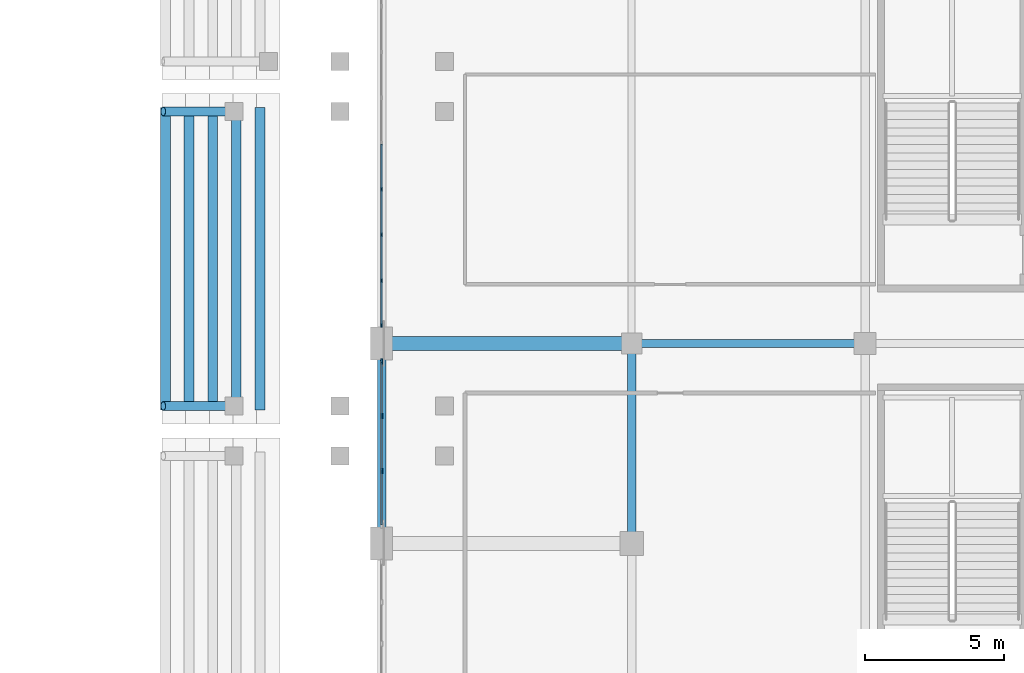
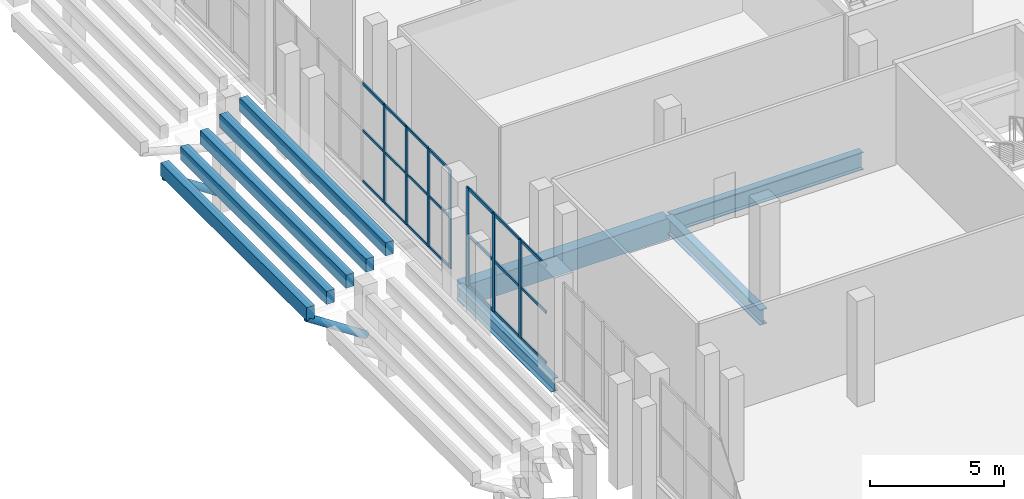
# One storey, part 45 of 142: 30 members, 9 beams, 2 elements without a shape of their own.
"""IFC4 building model written with IfcOpenShell, lengths in metres."""

import ifcopenshell
import ifcopenshell.guid

model = None  # the IFC model being written
_history = None  # IfcOwnerHistory: only IFC2X3 demands one
_inside = {}  # id of a spatial element -> (the spatial element, [elements in it])
_under = {}  # id of a project, library or spatial element -> (it, [spatial elements below it])
_declared = {}  # id of a project -> (the project, [libraries it declares])
_typed = {}  # id of a type object -> (the type object, [elements of that type])
_made_of = {}  # id of a material, layer set ... -> (it, [elements and type objects made of it])


def new_model(schema):
    """Start an empty IFC model of exactly this schema.

    Asked for "IFC4X3", IfcOpenShell would pick the latest addendum, in which some entities
    have other attributes; the version numbers below select the first issue.
    IFC2X3 requires an IfcOwnerHistory on every rooted entity: one is made here for all.
    """
    global model, _history
    if schema == "IFC4X3":
        model = ifcopenshell.file(schema_version=(4, 3, 0, 0))
    else:
        model = ifcopenshell.file(schema=schema)
    _inside.clear()
    _under.clear()
    _declared.clear()
    _typed.clear()
    _made_of.clear()
    _history = None
    if model.schema == "IFC2X3":
        org = make("IfcOrganization", Name="unknown")
        user = make(
            "IfcPersonAndOrganization",
            ThePerson=make("IfcPerson", FamilyName="unknown"),
            TheOrganization=org,
        )
        app = make(
            "IfcApplication",
            ApplicationDeveloper=org,
            Version="unknown",
            ApplicationFullName="unknown",
            ApplicationIdentifier="unknown",
        )
        _history = make(
            "IfcOwnerHistory",
            OwningUser=user,
            OwningApplication=app,
            ChangeAction="ADDED",
            CreationDate=0,
        )
    return model


def make(cls, **values):
    """One entity of the class cls with the attributes given. An attribute that is None is left unset."""
    return model.create_entity(
        cls, **{name: value for name, value in values.items() if value is not None}
    )


def rooted(cls, **values):
    """An entity with a GlobalId (a new one), such as an element, a storey or a relation."""
    return make(cls, GlobalId=ifcopenshell.guid.new(), OwnerHistory=_history, **values)


def si_unit(unit_type, name, prefix=None):
    """IfcSIUnit, for example si_unit("LENGTHUNIT", "METRE", prefix="MILLI")."""
    return make("IfcSIUnit", UnitType=unit_type, Prefix=prefix, Name=name)


def assignment(units):
    """IfcUnitAssignment: the units of a project."""
    return None if units is None else make("IfcUnitAssignment", Units=units)


def point(xyz):
    """IfcCartesianPoint."""
    return None if xyz is None else make("IfcCartesianPoint", Coordinates=xyz)


def direction(xyz):
    """IfcDirection."""
    return None if xyz is None else make("IfcDirection", DirectionRatios=xyz)


def frame(location, z_axis=None, x_axis=None):
    """IfcAxis2Placement3D, a coordinate frame: its origin and axes. An axis left out is left unset."""
    return make(
        "IfcAxis2Placement3D",
        Location=point(location),
        Axis=direction(z_axis),
        RefDirection=direction(x_axis),
    )


def frame_2d(location, x_axis=None):
    """IfcAxis2Placement2D, a coordinate frame in the plane: its origin and x axis."""
    return make(
        "IfcAxis2Placement2D", Location=point(location), RefDirection=direction(x_axis)
    )


def origin():
    """The frame at (0, 0, 0) with its axes left unset."""
    return frame((0.0, 0.0, 0.0))


def origin_2d():
    """The frame at (0, 0) in the plane with its x axis left unset."""
    return frame_2d((0.0, 0.0))


def place(relative_to, where):
    """IfcLocalPlacement: puts the frame where relative to a parent placement (None: the world)."""
    return make(
        "IfcLocalPlacement", PlacementRelTo=relative_to, RelativePlacement=where
    )


def context(
    kind, dimensions, precision=None, world=None, true_north=None, identifier=None
):
    """IfcGeometricRepresentationContext, for example the 3D "Model" context."""
    return make(
        "IfcGeometricRepresentationContext",
        ContextIdentifier=identifier,
        ContextType=kind,
        CoordinateSpaceDimension=dimensions,
        Precision=precision,
        WorldCoordinateSystem=world,
        TrueNorth=true_north,
    )


def subcontext(parent, identifier, kind, view, scale=None):
    """IfcGeometricRepresentationSubContext, for example "Body" below "Model"."""
    return make(
        "IfcGeometricRepresentationSubContext",
        ContextIdentifier=identifier,
        ContextType=kind,
        ParentContext=parent,
        TargetScale=scale,
        TargetView=view,
    )


def project(units=None, contexts=None):
    """IfcProject with its units and contexts."""
    return rooted(
        "IfcProject",
        Name="project",
        RepresentationContexts=contexts,
        UnitsInContext=assignment(units),
    )


def spatial(cls, under=None, at=None, **own):
    """A site, building, storey or space (cls), placed at a placement, below another one or the project."""
    s = rooted(cls, ObjectPlacement=at, **own)
    if under is not None:
        _under.setdefault(under.id(), (under, []))[1].append(s)
    return s


def profile(cls, at=None, kind="AREA", **sizes):
    """A parametric profile (cls). Its sizes go by their IFC names, for example OverallWidth=200.0."""
    return make(cls, ProfileType=kind, Position=at, **sizes)


def rectangle(**sizes):
    """IfcRectangleProfileDef."""
    return profile("IfcRectangleProfileDef", **sizes)


def hollow_circle(**sizes):
    """IfcCircleHollowProfileDef."""
    return profile("IfcCircleHollowProfileDef", **sizes)


def i_section(**sizes):
    """IfcIShapeProfileDef."""
    return profile("IfcIShapeProfileDef", **sizes)


def extrude(swept, where, along, depth):
    """IfcExtrudedAreaSolid: the profile swept, set in the frame where, extruded along a direction by depth."""
    return make(
        "IfcExtrudedAreaSolid",
        SweptArea=swept,
        Position=where,
        ExtrudedDirection=direction(along),
        Depth=depth,
    )


def shape(context_of_items, identifier, shape_type, items):
    """IfcShapeRepresentation: the items that make up one representation, for example the "Body"."""
    return make(
        "IfcShapeRepresentation",
        ContextOfItems=context_of_items,
        RepresentationIdentifier=identifier,
        RepresentationType=shape_type,
        Items=items,
    )


def material(Name=None, Category=None):
    """IfcMaterial."""
    return make("IfcMaterial", Name=Name, Category=Category)


def material_profile(
    of_material, cross_section, Name=None, Category=None, Priority=None
):
    """IfcMaterialProfile: a cross section and its material."""
    return make(
        "IfcMaterialProfile",
        Name=Name,
        Material=of_material,
        Profile=cross_section,
        Priority=Priority,
        Category=Category,
    )


def profile_set(profiles, Name=None, composite=None):
    """IfcMaterialProfileSet."""
    return make(
        "IfcMaterialProfileSet",
        Name=Name,
        MaterialProfiles=profiles,
        CompositeProfile=composite,
    )


def made_of(thing, what):
    """Note that an element or type object is made of a material, layer set ...; save() writes the relation."""
    if what is not None:
        _made_of.setdefault(what.id(), (what, []))[1].append(thing)
    return thing


def type_object(cls, material=None, **own):
    """A type object (cls), such as IfcWallType, which elements share."""
    return made_of(rooted(cls, **own), material)


def element(
    cls,
    number,
    at=None,
    inside=None,
    cuts=None,
    type_object=None,
    material=None,
    context=None,
    identifier="Body",
    shape_type=None,
    held_by="IfcProductDefinitionShape",
    body=None,
    shapes=None,
    **own,
):
    """One element of the class cls, such as IfcWall. Its Tag is "e" and its number.

    at: its placement. inside: the storey or other place that contains it. cuts: it is an
    opening in that element (IfcRelVoidsElement). A single representation is given by context,
    identifier, shape_type and body (its items); several are given by shapes. held_by: the class
    of the entity that holds the representations. save() writes the other relations.
    """
    e = rooted(cls, Tag="e%d" % number, ObjectPlacement=at, **own)
    if body is not None:
        shapes = [shape(context, identifier, shape_type, body)]
    if shapes is not None:
        e.Representation = make(held_by, Representations=shapes)
    if inside is not None:
        _inside.setdefault(inside.id(), (inside, []))[1].append(e)
    if cuts is not None:
        rooted(
            "IfcRelVoidsElement", RelatingBuildingElement=cuts, RelatedOpeningElement=e
        )
    if type_object is not None:
        _typed.setdefault(type_object.id(), (type_object, []))[1].append(e)
    return made_of(e, material)


def aggregate(whole, parts):
    """IfcRelAggregates: a whole, such as a stair, and the parts it consists of."""
    return rooted("IfcRelAggregates", RelatingObject=whole, RelatedObjects=parts)


def save(model, path):
    """Write the relations noted so far, then the file.

    IfcRelAggregates (storeys below a building ...), IfcRelContainedInSpatialStructure (elements
    in a storey), IfcRelDefinesByType, IfcRelAssociatesMaterial and IfcRelDeclares: one each for
    every whole, place, type object, material and project.
    """
    for whole, parts in _under.values():
        aggregate(whole, parts)
    for where, things in _inside.values():
        rooted(
            "IfcRelContainedInSpatialStructure",
            RelatedElements=things,
            RelatingStructure=where,
        )
    for kind, things in _typed.values():
        rooted("IfcRelDefinesByType", RelatedObjects=things, RelatingType=kind)
    for what, things in _made_of.values():
        rooted("IfcRelAssociatesMaterial", RelatedObjects=things, RelatingMaterial=what)
    for by, libraries in _declared.values():
        rooted("IfcRelDeclares", RelatingContext=by, RelatedDefinitions=libraries)
    model.write(path)


model = new_model("IFC4")

# Units and contexts
model_context = context("Model", 3, precision=1e-05, world=origin(), true_north=direction((0.0, 1.0)))
body_context = subcontext(model_context, "Body", "Model", "MODEL_VIEW")
ifc_project = project(units=[si_unit("LENGTHUNIT", "METRE"), si_unit("AREAUNIT", "SQUARE_METRE"), si_unit("VOLUMEUNIT", "CUBIC_METRE"), si_unit("PLANEANGLEUNIT", "RADIAN"), si_unit("MASSUNIT", "GRAM", prefix="KILO")], contexts=[model_context])

# Site, building, storey
site_placement = place(None, origin())
site = spatial("IfcSite", under=ifc_project, at=site_placement, CompositionType="ELEMENT")
building_placement = place(site_placement, origin())
building = spatial("IfcBuilding", under=site, at=building_placement, Name="Koshinbarg Plaza Stadium", CompositionType="ELEMENT")
storey_placement = place(building_placement, frame((0.0, 0.0, 10.199951171875)))
storey = spatial("IfcBuildingStorey", under=building, at=storey_placement, Name="L02", CompositionType="ELEMENT", Elevation=10.199951171875)

# Beams
ifc_material_1 = material(Name="Concrete C40/50", Category="concrete")
ifc_material_profile_1 = material_profile(ifc_material_1, rectangle(XDim=0.35009765625, YDim=0.60009765625, at=origin_2d()), Name="RC 350x600")
ifc_profile_set_1 = profile_set([ifc_material_profile_1], Name="Concrete C40/50")
beam_type_1 = type_object("IfcBeamType", Name="BM-RCG-01", PredefinedType="SPANDREL", material=ifc_profile_set_1)
for number, where, z_axis, x_axis, name in (
    (1, (172.6201171875, 51.89990234375, 2.52001953125), (0.0, 1.0, 0.0), (-1.0, 0.0, 0.0), "Upper tier seat bearer UT-E03-R01"),
    (2, (173.469970703125, 51.89990234375, 2.9599609375), (0.0, 1.0, 0.0), (-1.0, 0.0, 0.0), "Upper tier seat bearer UT-E03-R02"),
    (3, (174.320068359375, 51.89990234375, 3.400146484375), (0.0, 1.0, 0.0), (-1.0, 0.0, 0.0), "Upper tier seat bearer UT-E03-R03"),
    (4, (175.169921875, 51.89990234375, 3.840087890625), (0.0, 1.0, 0.0), (-1.0, 0.0, 0.0), "Upper tier seat bearer UT-E03-R04"),
    (5, (176.02001953125, 51.89990234375, 4.280029296875), (0.0, 1.0, 0.0), (-1.0, 0.0, 0.0), "Upper tier seat bearer UT-E03-R05"),
):
    element("IfcBeam", number, at=place(storey_placement, frame(where, z_axis=z_axis, x_axis=x_axis)), inside=storey, type_object=beam_type_1, Name=name, PredefinedType="SPANDREL", context=body_context, shape_type="SweptSolid", body=[
        extrude(rectangle(XDim=0.35009765625, YDim=0.60009765625, at=origin_2d()), origin(), (0.0, 0.0, 1.0), 10.900146484375),
    ])
ifc_material_profile_2 = material_profile(ifc_material_1, rectangle(XDim=0.5, YDim=0.949951171875, at=origin_2d()), Name="RC 500x950")
ifc_profile_set_2 = profile_set([ifc_material_profile_2], Name="Concrete C40/50")
beam_type_2 = type_object("IfcBeamType", Name="BM-RCG-06", PredefinedType="USERDEFINED", material=ifc_profile_set_2)
beam_1_placement = place(storey_placement, frame((180.4599609375, 54.300048828125, -0.77490234375), z_axis=(1.0, 0.0, 0.0), x_axis=(0.0, 1.0, 0.0)))
element("IfcBeam", 6, at=beam_1_placement, inside=storey, type_object=beam_type_2, Name="L02 X girder H/17-18", ObjectType="GIRDER", PredefinedType="USERDEFINED", context=body_context, shape_type="SweptSolid", body=[
    extrude(rectangle(XDim=0.5, YDim=0.949951171875, at=origin_2d()), origin(), (0.0, 0.0, 1.0), 8.880126953125),
])
ifc_material_2 = material(Name="Steel S355", Category="steel")
ifc_material_profile_3 = material_profile(ifc_material_2, i_section(OverallWidth=0.300048828125, OverallDepth=0.60009765625, WebThickness=0.015380859375, FlangeThickness=0.030029296875, at=origin_2d()), Name="HEB 600")
ifc_profile_set_3 = profile_set([ifc_material_profile_3], Name="Steel S355")
beam_type_3 = type_object("IfcBeamType", Name="BM-SGIR-02", PredefinedType="USERDEFINED", material=ifc_profile_set_3)
beam_2_placement = place(storey_placement, frame((180.39990234375, 47.159912109375, -0.599853515625), z_axis=(0.0, 1.0, 0.0), x_axis=(-1.0, 0.0, 0.0)))
element("IfcBeam", 7, at=beam_2_placement, inside=storey, type_object=beam_type_3, Name="L02 Y girder 17/G-H", ObjectType="GIRDER", PredefinedType="USERDEFINED", context=body_context, shape_type="SweptSolid", body=[
    extrude(i_section(OverallWidth=0.300048828125, OverallDepth=0.60009765625, WebThickness=0.015380859375, FlangeThickness=0.030029296875, at=origin_2d()), origin(), (0.0, 0.0, 1.0), 7.080078125),
])
ifc_material_profile_4 = material_profile(ifc_material_2, i_section(OverallWidth=0.300048828125, OverallDepth=0.699951171875, WebThickness=0.01708984375, FlangeThickness=0.031982421875, at=origin_2d()), Name="HEB 700")
ifc_profile_set_4 = profile_set([ifc_material_profile_4], Name="Steel S355")
beam_type_4 = type_object("IfcBeamType", Name="BM-SGIR-03", PredefinedType="USERDEFINED", material=ifc_profile_set_4)
beam_3_placement = place(storey_placement, frame((189.39990234375, 47.159912109375, -0.64990234375), z_axis=(0.0, 1.0, 0.0), x_axis=(-1.0, 0.0, 0.0)))
element("IfcBeam", 8, at=beam_3_placement, inside=storey, type_object=beam_type_4, Name="L02 Y girder 18/G-H", ObjectType="GIRDER", PredefinedType="USERDEFINED", context=body_context, shape_type="SweptSolid", body=[
    extrude(i_section(OverallWidth=0.300048828125, OverallDepth=0.699951171875, WebThickness=0.01708984375, FlangeThickness=0.031982421875, at=origin_2d()), origin(), (0.0, 0.0, 1.0), 7.080078125),
])
ifc_material_profile_5 = material_profile(ifc_material_2, i_section(OverallWidth=0.300048828125, OverallDepth=0.800048828125, WebThickness=0.017578125, FlangeThickness=0.032958984375, at=origin_2d()), Name="HEB 800")
ifc_profile_set_5 = profile_set([ifc_material_profile_5], Name="Steel S355")
beam_type_5 = type_object("IfcBeamType", Name="BM-SGIR-04", PredefinedType="USERDEFINED", material=ifc_profile_set_5)
beam_4_placement = place(storey_placement, frame((189.4599609375, 54.300048828125, -0.699951171875), z_axis=(1.0, 0.0, 0.0), x_axis=(0.0, 1.0, 0.0)))
element("IfcBeam", 9, at=beam_4_placement, inside=storey, type_object=beam_type_5, Name="L02 X girder H/18-19", ObjectType="GIRDER", PredefinedType="USERDEFINED", context=body_context, shape_type="SweptSolid", body=[
    extrude(i_section(OverallWidth=0.300048828125, OverallDepth=0.800048828125, WebThickness=0.017578125, FlangeThickness=0.032958984375, at=origin_2d()), origin(), (0.0, 0.0, 1.0), 8.280029296875),
])

# Curtain wall, members
ifc_material_3 = material(Name="Thermally broken anodised aluminium and low-E double glazing", Category="aluminium")
curtain_wall_type_1 = type_object("IfcCurtainWallType", Name="CW-SYS-05", PredefinedType="NOTDEFINED", material=ifc_material_3)
curtain_wall_1_placement = place(storey_placement, origin())
curtain_wall_1 = element("IfcCurtainWall", 10, at=curtain_wall_1_placement, inside=storey, type_object=curtain_wall_type_1, Name="L02 unitised curtain wall CW-L02-084", PredefinedType="NOTDEFINED")
ifc_material_4 = material(Name="Anodised aluminium mullion", Category="aluminium")
ifc_material_profile_6 = material_profile(ifc_material_4, rectangle(XDim=0.06005859375, YDim=0.139892578125, at=origin_2d()), Name="ALU 60x140")
ifc_profile_set_6 = profile_set([ifc_material_profile_6], Name="Anodised aluminium mullion")
member_type_1 = type_object("IfcMemberType", Name="CW-MUL-01", PredefinedType="MULLION", material=ifc_profile_set_6)
member_1_placement = place(storey_placement, frame((180.39990234375, 54.949951171875, 0.0), z_axis=(0.0, 0.0, 1.0), x_axis=(-1.0, 0.0, 0.0)))
member_1 = element("IfcMember", 11, at=member_1_placement, type_object=member_type_1, Name="CW05 mullion 1", PredefinedType="MULLION", context=body_context, shape_type="SweptSolid", body=[
    extrude(rectangle(XDim=0.06005859375, YDim=0.139892578125, at=origin_2d()), origin(), (0.0, 0.0, 1.0), 4.47998046875),
])
member_2_placement = place(storey_placement, frame((180.39990234375, 56.56494140625, 0.0), z_axis=(0.0, 0.0, 1.0), x_axis=(-1.0, 0.0, 0.0)))
member_2 = element("IfcMember", 12, at=member_2_placement, type_object=member_type_1, Name="CW05 mullion 2", PredefinedType="MULLION", context=body_context, shape_type="SweptSolid", body=[
    extrude(rectangle(XDim=0.06005859375, YDim=0.139892578125, at=origin_2d()), origin(), (0.0, 0.0, 1.0), 4.47998046875),
])
member_3_placement = place(storey_placement, frame((180.39990234375, 58.2099609375, 0.0), z_axis=(0.0, 0.0, 1.0), x_axis=(-1.0, 0.0, 0.0)))
member_3 = element("IfcMember", 13, at=member_3_placement, type_object=member_type_1, Name="CW05 mullion 3", PredefinedType="MULLION", context=body_context, shape_type="SweptSolid", body=[
    extrude(rectangle(XDim=0.06005859375, YDim=0.139892578125, at=origin_2d()), origin(), (0.0, 0.0, 1.0), 4.47998046875),
])
member_4_placement = place(storey_placement, frame((180.39990234375, 59.85498046875, 0.0), z_axis=(0.0, 0.0, 1.0), x_axis=(-1.0, 0.0, 0.0)))
member_4 = element("IfcMember", 14, at=member_4_placement, type_object=member_type_1, Name="CW05 mullion 4", PredefinedType="MULLION", context=body_context, shape_type="SweptSolid", body=[
    extrude(rectangle(XDim=0.06005859375, YDim=0.139892578125, at=origin_2d()), origin(), (0.0, 0.0, 1.0), 4.47998046875),
])

curtain_wall_type_2 = type_object("IfcCurtainWallType", Name="CW-SYS-04", PredefinedType="NOTDEFINED", material=ifc_material_3)
curtain_wall_2_placement = place(storey_placement, origin())
curtain_wall_2 = element("IfcCurtainWall", 15, at=curtain_wall_2_placement, inside=storey, type_object=curtain_wall_type_2, Name="L02 unitised curtain wall CW-L02-083", PredefinedType="NOTDEFINED")
ifc_material_profile_7 = material_profile(ifc_material_4, rectangle(XDim=0.070068359375, YDim=0.199951171875, at=origin_2d()), Name="ALU 70x200")
ifc_profile_set_7 = profile_set([ifc_material_profile_7], Name="Anodised aluminium mullion")
member_type_2 = type_object("IfcMemberType", Name="CW-MUL-04", PredefinedType="MULLION", material=ifc_profile_set_7)
member_5_placement = place(storey_placement, frame((180.39990234375, 49.706787109375, 0.0), z_axis=(0.0, 0.0, 1.0), x_axis=(-1.0, 0.0, 0.0)))
member_5 = element("IfcMember", 16, at=member_5_placement, type_object=member_type_2, Name="CW04 mullion 2", PredefinedType="MULLION", context=body_context, shape_type="SweptSolid", body=[
    extrude(rectangle(XDim=0.070068359375, YDim=0.199951171875, at=origin_2d()), origin(), (0.0, 0.0, 1.0), 4.47998046875),
])
member_6_placement = place(storey_placement, frame((180.39990234375, 51.693359375, 0.0), z_axis=(0.0, 0.0, 1.0), x_axis=(-1.0, 0.0, 0.0)))
member_6 = element("IfcMember", 17, at=member_6_placement, type_object=member_type_2, Name="CW04 mullion 3", PredefinedType="MULLION", context=body_context, shape_type="SweptSolid", body=[
    extrude(rectangle(XDim=0.070068359375, YDim=0.199951171875, at=origin_2d()), origin(), (0.0, 0.0, 1.0), 4.47998046875),
])
member_7_placement = place(storey_placement, frame((180.39990234375, 53.64990234375, 0.0), z_axis=(0.0, 0.0, 1.0), x_axis=(-1.0, 0.0, 0.0)))
member_7 = element("IfcMember", 18, at=member_7_placement, type_object=member_type_2, Name="CW04 mullion 4", PredefinedType="MULLION", context=body_context, shape_type="SweptSolid", body=[
    extrude(rectangle(XDim=0.070068359375, YDim=0.199951171875, at=origin_2d()), origin(), (0.0, 0.0, 1.0), 4.47998046875),
])

# Member
ifc_material_5 = material(Name="Anodised aluminium transom", Category="aluminium")
ifc_material_profile_8 = material_profile(ifc_material_5, rectangle(XDim=0.06005859375, YDim=0.110107421875, at=origin_2d()), Name="ALU 60x110")
ifc_profile_set_8 = profile_set([ifc_material_profile_8], Name="Anodised aluminium transom")
member_type_3 = type_object("IfcMemberType", Name="CW-TRN-01", PredefinedType="USERDEFINED", material=ifc_profile_set_8)
member_8_placement = place(storey_placement, frame((180.39990234375, 54.97998046875, 0.030029296875), z_axis=(0.0, 1.0, 0.0), x_axis=(-1.0, 0.0, 0.0)))
member_8 = element("IfcMember", 19, at=member_8_placement, type_object=member_type_3, Name="CW05 transom 1.1", ObjectType="TRANSOM", PredefinedType="USERDEFINED", context=body_context, shape_type="SweptSolid", body=[
    extrude(rectangle(XDim=0.06005859375, YDim=0.110107421875, at=origin_2d()), origin(), (0.0, 0.0, 1.0), 1.554931640625),
])

member_9_placement = place(storey_placement, frame((180.39990234375, 54.97998046875, 2.32958984375), z_axis=(0.0, 1.0, 0.0), x_axis=(-1.0, 0.0, 0.0)))
member_9 = element("IfcMember", 20, at=member_9_placement, type_object=member_type_3, Name="CW05 transom 1.2", ObjectType="TRANSOM", PredefinedType="USERDEFINED", context=body_context, shape_type="SweptSolid", body=[
    extrude(rectangle(XDim=0.06005859375, YDim=0.110107421875, at=origin_2d()), origin(), (0.0, 0.0, 1.0), 1.554931640625),
])

member_10_placement = place(storey_placement, frame((180.39990234375, 54.97998046875, 4.449951171875), z_axis=(0.0, 1.0, 0.0), x_axis=(-1.0, 0.0, 0.0)))
member_10 = element("IfcMember", 21, at=member_10_placement, type_object=member_type_3, Name="CW05 transom 1.3", ObjectType="TRANSOM", PredefinedType="USERDEFINED", context=body_context, shape_type="SweptSolid", body=[
    extrude(rectangle(XDim=0.06005859375, YDim=0.110107421875, at=origin_2d()), origin(), (0.0, 0.0, 1.0), 1.554931640625),
])

member_11_placement = place(storey_placement, frame((180.39990234375, 56.594970703125, 0.030029296875), z_axis=(0.0, 1.0, 0.0), x_axis=(-1.0, 0.0, 0.0)))
member_11 = element("IfcMember", 22, at=member_11_placement, type_object=member_type_3, Name="CW05 transom 2.1", ObjectType="TRANSOM", PredefinedType="USERDEFINED", context=body_context, shape_type="SweptSolid", body=[
    extrude(rectangle(XDim=0.06005859375, YDim=0.110107421875, at=origin_2d()), origin(), (0.0, 0.0, 1.0), 1.5849609375),
])

member_12_placement = place(storey_placement, frame((180.39990234375, 56.594970703125, 2.32958984375), z_axis=(0.0, 1.0, 0.0), x_axis=(-1.0, 0.0, 0.0)))
member_12 = element("IfcMember", 23, at=member_12_placement, type_object=member_type_3, Name="CW05 transom 2.2", ObjectType="TRANSOM", PredefinedType="USERDEFINED", context=body_context, shape_type="SweptSolid", body=[
    extrude(rectangle(XDim=0.06005859375, YDim=0.110107421875, at=origin_2d()), origin(), (0.0, 0.0, 1.0), 1.5849609375),
])

member_13_placement = place(storey_placement, frame((180.39990234375, 56.594970703125, 4.449951171875), z_axis=(0.0, 1.0, 0.0), x_axis=(-1.0, 0.0, 0.0)))
member_13 = element("IfcMember", 24, at=member_13_placement, type_object=member_type_3, Name="CW05 transom 2.3", ObjectType="TRANSOM", PredefinedType="USERDEFINED", context=body_context, shape_type="SweptSolid", body=[
    extrude(rectangle(XDim=0.06005859375, YDim=0.110107421875, at=origin_2d()), origin(), (0.0, 0.0, 1.0), 1.5849609375),
])

member_14_placement = place(storey_placement, frame((180.39990234375, 58.239990234375, 0.030029296875), z_axis=(0.0, 1.0, 0.0), x_axis=(-1.0, 0.0, 0.0)))
member_14 = element("IfcMember", 25, at=member_14_placement, type_object=member_type_3, Name="CW05 transom 3.1", ObjectType="TRANSOM", PredefinedType="USERDEFINED", context=body_context, shape_type="SweptSolid", body=[
    extrude(rectangle(XDim=0.06005859375, YDim=0.110107421875, at=origin_2d()), origin(), (0.0, 0.0, 1.0), 1.5849609375),
])

member_15_placement = place(storey_placement, frame((180.39990234375, 58.239990234375, 2.32958984375), z_axis=(0.0, 1.0, 0.0), x_axis=(-1.0, 0.0, 0.0)))
member_15 = element("IfcMember", 26, at=member_15_placement, type_object=member_type_3, Name="CW05 transom 3.2", ObjectType="TRANSOM", PredefinedType="USERDEFINED", context=body_context, shape_type="SweptSolid", body=[
    extrude(rectangle(XDim=0.06005859375, YDim=0.110107421875, at=origin_2d()), origin(), (0.0, 0.0, 1.0), 1.5849609375),
])

member_16_placement = place(storey_placement, frame((180.39990234375, 58.239990234375, 4.449951171875), z_axis=(0.0, 1.0, 0.0), x_axis=(-1.0, 0.0, 0.0)))
member_16 = element("IfcMember", 27, at=member_16_placement, type_object=member_type_3, Name="CW05 transom 3.3", ObjectType="TRANSOM", PredefinedType="USERDEFINED", context=body_context, shape_type="SweptSolid", body=[
    extrude(rectangle(XDim=0.06005859375, YDim=0.110107421875, at=origin_2d()), origin(), (0.0, 0.0, 1.0), 1.5849609375),
])

member_17_placement = place(storey_placement, frame((180.39990234375, 59.885009765625, 0.030029296875), z_axis=(0.0, 1.0, 0.0), x_axis=(-1.0, 0.0, 0.0)))
member_17 = element("IfcMember", 28, at=member_17_placement, type_object=member_type_3, Name="CW05 transom 4.1", ObjectType="TRANSOM", PredefinedType="USERDEFINED", context=body_context, shape_type="SweptSolid", body=[
    extrude(rectangle(XDim=0.06005859375, YDim=0.110107421875, at=origin_2d()), origin(), (0.0, 0.0, 1.0), 1.5849609375),
])

member_18_placement = place(storey_placement, frame((180.39990234375, 59.885009765625, 2.32958984375), z_axis=(0.0, 1.0, 0.0), x_axis=(-1.0, 0.0, 0.0)))
member_18 = element("IfcMember", 29, at=member_18_placement, type_object=member_type_3, Name="CW05 transom 4.2", ObjectType="TRANSOM", PredefinedType="USERDEFINED", context=body_context, shape_type="SweptSolid", body=[
    extrude(rectangle(XDim=0.06005859375, YDim=0.110107421875, at=origin_2d()), origin(), (0.0, 0.0, 1.0), 1.5849609375),
])

member_19_placement = place(storey_placement, frame((180.39990234375, 59.885009765625, 4.449951171875), z_axis=(0.0, 1.0, 0.0), x_axis=(-1.0, 0.0, 0.0)))
member_19 = element("IfcMember", 30, at=member_19_placement, type_object=member_type_3, Name="CW05 transom 4.3", ObjectType="TRANSOM", PredefinedType="USERDEFINED", context=body_context, shape_type="SweptSolid", body=[
    extrude(rectangle(XDim=0.06005859375, YDim=0.110107421875, at=origin_2d()), origin(), (0.0, 0.0, 1.0), 1.5849609375),
])

aggregate(curtain_wall_1, [member_1, member_2, member_3, member_4, member_8, member_9, member_10, member_11, member_12, member_13, member_14, member_15, member_16, member_17, member_18, member_19])

ifc_material_profile_9 = material_profile(ifc_material_5, rectangle(XDim=0.06005859375, YDim=0.1298828125, at=origin_2d()), Name="ALU 60x130")
ifc_profile_set_9 = profile_set([ifc_material_profile_9], Name="Anodised aluminium transom")
member_type_4 = type_object("IfcMemberType", Name="CW-TRN-02", PredefinedType="USERDEFINED", material=ifc_profile_set_9)
member_20_placement = place(storey_placement, frame((180.39990234375, 47.780029296875, 0.030029296875), z_axis=(0.0, 1.0, 0.0), x_axis=(-1.0, 0.0, 0.0)))
member_20 = element("IfcMember", 31, at=member_20_placement, type_object=member_type_4, Name="CW04 transom 1.1", ObjectType="TRANSOM", PredefinedType="USERDEFINED", context=body_context, shape_type="SweptSolid", body=[
    extrude(rectangle(XDim=0.06005859375, YDim=0.1298828125, at=origin_2d()), origin(), (0.0, 0.0, 1.0), 1.896728515625),
])

member_21_placement = place(storey_placement, frame((180.39990234375, 47.780029296875, 2.32958984375), z_axis=(0.0, 1.0, 0.0), x_axis=(-1.0, 0.0, 0.0)))
member_21 = element("IfcMember", 32, at=member_21_placement, type_object=member_type_4, Name="CW04 transom 1.2", ObjectType="TRANSOM", PredefinedType="USERDEFINED", context=body_context, shape_type="SweptSolid", body=[
    extrude(rectangle(XDim=0.06005859375, YDim=0.1298828125, at=origin_2d()), origin(), (0.0, 0.0, 1.0), 1.896728515625),
])

member_22_placement = place(storey_placement, frame((180.39990234375, 47.780029296875, 4.449951171875), z_axis=(0.0, 1.0, 0.0), x_axis=(-1.0, 0.0, 0.0)))
member_22 = element("IfcMember", 33, at=member_22_placement, type_object=member_type_4, Name="CW04 transom 1.3", ObjectType="TRANSOM", PredefinedType="USERDEFINED", context=body_context, shape_type="SweptSolid", body=[
    extrude(rectangle(XDim=0.06005859375, YDim=0.1298828125, at=origin_2d()), origin(), (0.0, 0.0, 1.0), 1.896728515625),
])

member_23_placement = place(storey_placement, frame((180.39990234375, 49.736572265625, 0.030029296875), z_axis=(0.0, 1.0, 0.0), x_axis=(-1.0, 0.0, 0.0)))
member_23 = element("IfcMember", 34, at=member_23_placement, type_object=member_type_4, Name="CW04 transom 2.1", ObjectType="TRANSOM", PredefinedType="USERDEFINED", context=body_context, shape_type="SweptSolid", body=[
    extrude(rectangle(XDim=0.06005859375, YDim=0.1298828125, at=origin_2d()), origin(), (0.0, 0.0, 1.0), 1.9267578125),
])

member_24_placement = place(storey_placement, frame((180.39990234375, 49.736572265625, 2.32958984375), z_axis=(0.0, 1.0, 0.0), x_axis=(-1.0, 0.0, 0.0)))
member_24 = element("IfcMember", 35, at=member_24_placement, type_object=member_type_4, Name="CW04 transom 2.2", ObjectType="TRANSOM", PredefinedType="USERDEFINED", context=body_context, shape_type="SweptSolid", body=[
    extrude(rectangle(XDim=0.06005859375, YDim=0.1298828125, at=origin_2d()), origin(), (0.0, 0.0, 1.0), 1.9267578125),
])

member_25_placement = place(storey_placement, frame((180.39990234375, 49.736572265625, 4.449951171875), z_axis=(0.0, 1.0, 0.0), x_axis=(-1.0, 0.0, 0.0)))
member_25 = element("IfcMember", 36, at=member_25_placement, type_object=member_type_4, Name="CW04 transom 2.3", ObjectType="TRANSOM", PredefinedType="USERDEFINED", context=body_context, shape_type="SweptSolid", body=[
    extrude(rectangle(XDim=0.06005859375, YDim=0.1298828125, at=origin_2d()), origin(), (0.0, 0.0, 1.0), 1.9267578125),
])

member_26_placement = place(storey_placement, frame((180.39990234375, 51.723388671875, 0.030029296875), z_axis=(0.0, 1.0, 0.0), x_axis=(-1.0, 0.0, 0.0)))
member_26 = element("IfcMember", 37, at=member_26_placement, type_object=member_type_4, Name="CW04 transom 3.1", ObjectType="TRANSOM", PredefinedType="USERDEFINED", context=body_context, shape_type="SweptSolid", body=[
    extrude(rectangle(XDim=0.06005859375, YDim=0.1298828125, at=origin_2d()), origin(), (0.0, 0.0, 1.0), 1.896728515625),
])

member_27_placement = place(storey_placement, frame((180.39990234375, 51.723388671875, 2.32958984375), z_axis=(0.0, 1.0, 0.0), x_axis=(-1.0, 0.0, 0.0)))
member_27 = element("IfcMember", 38, at=member_27_placement, type_object=member_type_4, Name="CW04 transom 3.2", ObjectType="TRANSOM", PredefinedType="USERDEFINED", context=body_context, shape_type="SweptSolid", body=[
    extrude(rectangle(XDim=0.06005859375, YDim=0.1298828125, at=origin_2d()), origin(), (0.0, 0.0, 1.0), 1.896728515625),
])

member_28_placement = place(storey_placement, frame((180.39990234375, 51.723388671875, 4.449951171875), z_axis=(0.0, 1.0, 0.0), x_axis=(-1.0, 0.0, 0.0)))
member_28 = element("IfcMember", 39, at=member_28_placement, type_object=member_type_4, Name="CW04 transom 3.3", ObjectType="TRANSOM", PredefinedType="USERDEFINED", context=body_context, shape_type="SweptSolid", body=[
    extrude(rectangle(XDim=0.06005859375, YDim=0.1298828125, at=origin_2d()), origin(), (0.0, 0.0, 1.0), 1.896728515625),
])

aggregate(curtain_wall_2, [member_5, member_6, member_7, member_20, member_21, member_22, member_23, member_24, member_25, member_26, member_27, member_28])

# Members
ifc_material_profile_10 = material_profile(ifc_material_2, hollow_circle(Radius=0.161865234375, WallThickness=0.01416015625, at=origin_2d()), Name="CHS 323.9x14.2")
ifc_profile_set_10 = profile_set([ifc_material_profile_10], Name="Steel S355")
member_type_5 = type_object("IfcMemberType", Name="MB-BRACE-01", PredefinedType="BRACE", material=ifc_profile_set_10)
for number, where, z_axis, x_axis, name in (
    (40, (175.080078125, 52.050048828125, 0.582763671875), (-0.8349280335, 0.0, 0.550359136269), (0.0, -1.0, 0.0), "Upper tier cantilever knee strut UT-E03-L"),
    (41, (175.080078125, 62.64990234375, 0.582763671875), (-0.8349280335, 0.0, 0.550359136269), (0.0, -1.0, 0.0), "Upper tier cantilever knee strut UT-E03-R"),
):
    element("IfcMember", number, at=place(storey_placement, frame(where, z_axis=z_axis, x_axis=x_axis)), inside=storey, type_object=member_type_5, Name=name, PredefinedType="BRACE", context=body_context, shape_type="SweptSolid", body=[
        extrude(hollow_circle(Radius=0.161865234375, WallThickness=0.01416015625, at=origin_2d()), origin(), (0.0, 0.0, 1.0), 3.042236328125),
    ])

save(model, "model.ifc")
